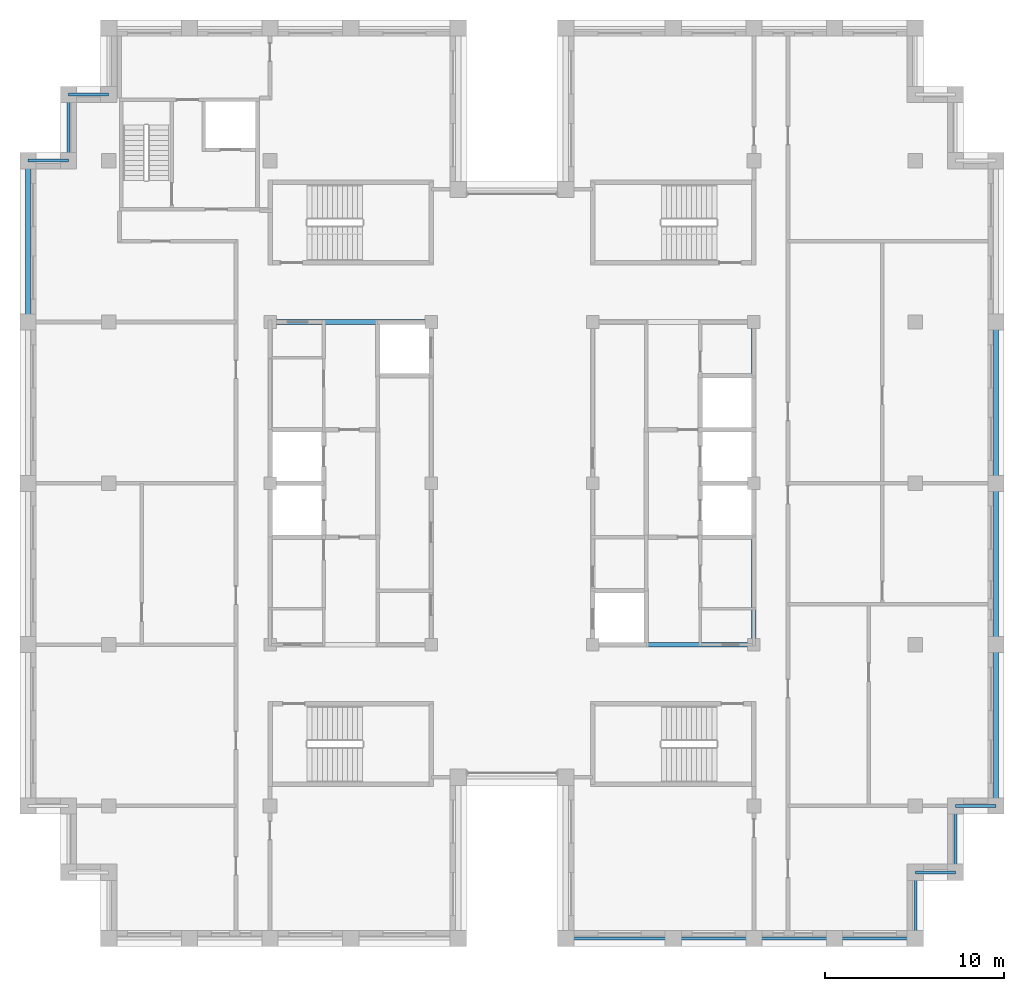
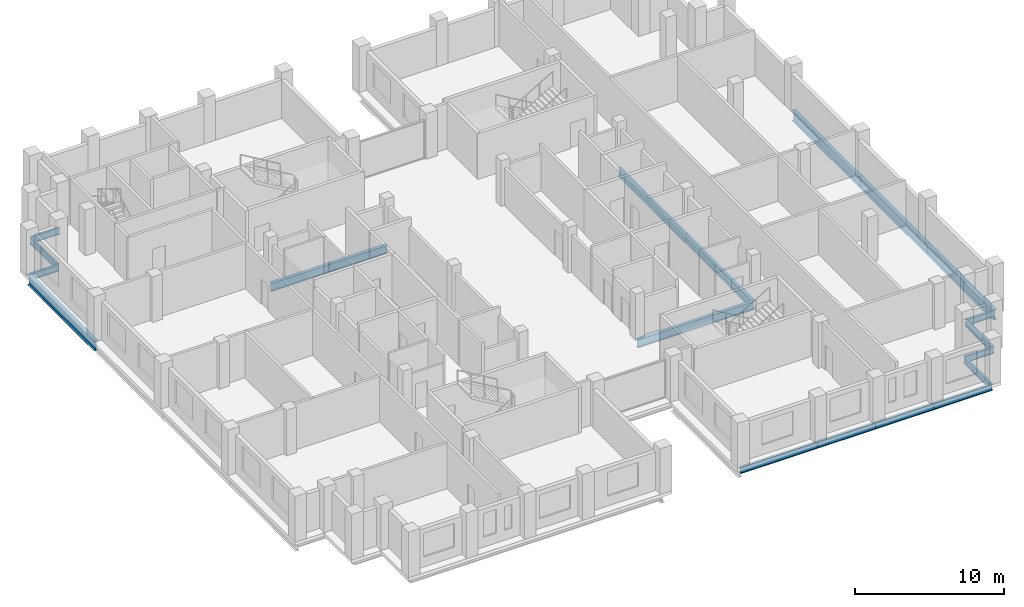
# One storey, part 3 of 13: 19 beams.
"""IFC4 building model written with IfcOpenShell, lengths in metres."""

import ifcopenshell
import ifcopenshell.guid

model = None  # the IFC model being written
_history = None  # IfcOwnerHistory: only IFC2X3 demands one
_inside = {}  # id of a spatial element -> (the spatial element, [elements in it])
_under = {}  # id of a project, library or spatial element -> (it, [spatial elements below it])
_declared = {}  # id of a project -> (the project, [libraries it declares])
_typed = {}  # id of a type object -> (the type object, [elements of that type])
_made_of = {}  # id of a material, layer set ... -> (it, [elements and type objects made of it])


def new_model(schema):
    """Start an empty IFC model of exactly this schema.

    Asked for "IFC4X3", IfcOpenShell would pick the latest addendum, in which some entities
    have other attributes; the version numbers below select the first issue.
    IFC2X3 requires an IfcOwnerHistory on every rooted entity: one is made here for all.
    """
    global model, _history
    if schema == "IFC4X3":
        model = ifcopenshell.file(schema_version=(4, 3, 0, 0))
    else:
        model = ifcopenshell.file(schema=schema)
    _inside.clear()
    _under.clear()
    _declared.clear()
    _typed.clear()
    _made_of.clear()
    _history = None
    if model.schema == "IFC2X3":
        org = make("IfcOrganization", Name="unknown")
        user = make(
            "IfcPersonAndOrganization",
            ThePerson=make("IfcPerson", FamilyName="unknown"),
            TheOrganization=org,
        )
        app = make(
            "IfcApplication",
            ApplicationDeveloper=org,
            Version="unknown",
            ApplicationFullName="unknown",
            ApplicationIdentifier="unknown",
        )
        _history = make(
            "IfcOwnerHistory",
            OwningUser=user,
            OwningApplication=app,
            ChangeAction="ADDED",
            CreationDate=0,
        )
    return model


def make(cls, **values):
    """One entity of the class cls with the attributes given. An attribute that is None is left unset."""
    return model.create_entity(
        cls, **{name: value for name, value in values.items() if value is not None}
    )


def rooted(cls, **values):
    """An entity with a GlobalId (a new one), such as an element, a storey or a relation."""
    return make(cls, GlobalId=ifcopenshell.guid.new(), OwnerHistory=_history, **values)


def si_unit(unit_type, name, prefix=None):
    """IfcSIUnit, for example si_unit("LENGTHUNIT", "METRE", prefix="MILLI")."""
    return make("IfcSIUnit", UnitType=unit_type, Prefix=prefix, Name=name)


def assignment(units):
    """IfcUnitAssignment: the units of a project."""
    return None if units is None else make("IfcUnitAssignment", Units=units)


def point(xyz):
    """IfcCartesianPoint."""
    return None if xyz is None else make("IfcCartesianPoint", Coordinates=xyz)


def direction(xyz):
    """IfcDirection."""
    return None if xyz is None else make("IfcDirection", DirectionRatios=xyz)


def frame(location, z_axis=None, x_axis=None):
    """IfcAxis2Placement3D, a coordinate frame: its origin and axes. An axis left out is left unset."""
    return make(
        "IfcAxis2Placement3D",
        Location=point(location),
        Axis=direction(z_axis),
        RefDirection=direction(x_axis),
    )


def frame_2d(location, x_axis=None):
    """IfcAxis2Placement2D, a coordinate frame in the plane: its origin and x axis."""
    return make(
        "IfcAxis2Placement2D", Location=point(location), RefDirection=direction(x_axis)
    )


def origin():
    """The frame at (0, 0, 0) with its axes left unset."""
    return frame((0.0, 0.0, 0.0))


def origin_2d():
    """The frame at (0, 0) in the plane with its x axis left unset."""
    return frame_2d((0.0, 0.0))


def place(relative_to, where):
    """IfcLocalPlacement: puts the frame where relative to a parent placement (None: the world)."""
    return make(
        "IfcLocalPlacement", PlacementRelTo=relative_to, RelativePlacement=where
    )


def context(
    kind, dimensions, precision=None, world=None, true_north=None, identifier=None
):
    """IfcGeometricRepresentationContext, for example the 3D "Model" context."""
    return make(
        "IfcGeometricRepresentationContext",
        ContextIdentifier=identifier,
        ContextType=kind,
        CoordinateSpaceDimension=dimensions,
        Precision=precision,
        WorldCoordinateSystem=world,
        TrueNorth=true_north,
    )


def subcontext(parent, identifier, kind, view, scale=None):
    """IfcGeometricRepresentationSubContext, for example "Body" below "Model"."""
    return make(
        "IfcGeometricRepresentationSubContext",
        ContextIdentifier=identifier,
        ContextType=kind,
        ParentContext=parent,
        TargetScale=scale,
        TargetView=view,
    )


def project(units=None, contexts=None):
    """IfcProject with its units and contexts."""
    return rooted(
        "IfcProject",
        Name="project",
        RepresentationContexts=contexts,
        UnitsInContext=assignment(units),
    )


def spatial(cls, under=None, at=None, **own):
    """A site, building, storey or space (cls), placed at a placement, below another one or the project."""
    s = rooted(cls, ObjectPlacement=at, **own)
    if under is not None:
        _under.setdefault(under.id(), (under, []))[1].append(s)
    return s


def profile(cls, at=None, kind="AREA", **sizes):
    """A parametric profile (cls). Its sizes go by their IFC names, for example OverallWidth=200.0."""
    return make(cls, ProfileType=kind, Position=at, **sizes)


def i_section(**sizes):
    """IfcIShapeProfileDef."""
    return profile("IfcIShapeProfileDef", **sizes)


def extrude(swept, where, along, depth):
    """IfcExtrudedAreaSolid: the profile swept, set in the frame where, extruded along a direction by depth."""
    return make(
        "IfcExtrudedAreaSolid",
        SweptArea=swept,
        Position=where,
        ExtrudedDirection=direction(along),
        Depth=depth,
    )


def shape(context_of_items, identifier, shape_type, items):
    """IfcShapeRepresentation: the items that make up one representation, for example the "Body"."""
    return make(
        "IfcShapeRepresentation",
        ContextOfItems=context_of_items,
        RepresentationIdentifier=identifier,
        RepresentationType=shape_type,
        Items=items,
    )


def material(Name=None, Category=None):
    """IfcMaterial."""
    return make("IfcMaterial", Name=Name, Category=Category)


def material_profile(
    of_material, cross_section, Name=None, Category=None, Priority=None
):
    """IfcMaterialProfile: a cross section and its material."""
    return make(
        "IfcMaterialProfile",
        Name=Name,
        Material=of_material,
        Profile=cross_section,
        Priority=Priority,
        Category=Category,
    )


def profile_set(profiles, Name=None, composite=None):
    """IfcMaterialProfileSet."""
    return make(
        "IfcMaterialProfileSet",
        Name=Name,
        MaterialProfiles=profiles,
        CompositeProfile=composite,
    )


def made_of(thing, what):
    """Note that an element or type object is made of a material, layer set ...; save() writes the relation."""
    if what is not None:
        _made_of.setdefault(what.id(), (what, []))[1].append(thing)
    return thing


def type_object(cls, material=None, **own):
    """A type object (cls), such as IfcWallType, which elements share."""
    return made_of(rooted(cls, **own), material)


def element(
    cls,
    number,
    at=None,
    inside=None,
    cuts=None,
    type_object=None,
    material=None,
    context=None,
    identifier="Body",
    shape_type=None,
    held_by="IfcProductDefinitionShape",
    body=None,
    shapes=None,
    **own,
):
    """One element of the class cls, such as IfcWall. Its Tag is "e" and its number.

    at: its placement. inside: the storey or other place that contains it. cuts: it is an
    opening in that element (IfcRelVoidsElement). A single representation is given by context,
    identifier, shape_type and body (its items); several are given by shapes. held_by: the class
    of the entity that holds the representations. save() writes the other relations.
    """
    e = rooted(cls, Tag="e%d" % number, ObjectPlacement=at, **own)
    if body is not None:
        shapes = [shape(context, identifier, shape_type, body)]
    if shapes is not None:
        e.Representation = make(held_by, Representations=shapes)
    if inside is not None:
        _inside.setdefault(inside.id(), (inside, []))[1].append(e)
    if cuts is not None:
        rooted(
            "IfcRelVoidsElement", RelatingBuildingElement=cuts, RelatedOpeningElement=e
        )
    if type_object is not None:
        _typed.setdefault(type_object.id(), (type_object, []))[1].append(e)
    return made_of(e, material)


def aggregate(whole, parts):
    """IfcRelAggregates: a whole, such as a stair, and the parts it consists of."""
    return rooted("IfcRelAggregates", RelatingObject=whole, RelatedObjects=parts)


def save(model, path):
    """Write the relations noted so far, then the file.

    IfcRelAggregates (storeys below a building ...), IfcRelContainedInSpatialStructure (elements
    in a storey), IfcRelDefinesByType, IfcRelAssociatesMaterial and IfcRelDeclares: one each for
    every whole, place, type object, material and project.
    """
    for whole, parts in _under.values():
        aggregate(whole, parts)
    for where, things in _inside.values():
        rooted(
            "IfcRelContainedInSpatialStructure",
            RelatedElements=things,
            RelatingStructure=where,
        )
    for kind, things in _typed.values():
        rooted("IfcRelDefinesByType", RelatedObjects=things, RelatingType=kind)
    for what, things in _made_of.values():
        rooted("IfcRelAssociatesMaterial", RelatedObjects=things, RelatingMaterial=what)
    for by, libraries in _declared.values():
        rooted("IfcRelDeclares", RelatingContext=by, RelatedDefinitions=libraries)
    model.write(path)


model = new_model("IFC4")

# Units and contexts
model_context = context("Model", 3, precision=1e-05, world=origin(), true_north=direction((0.0, 1.0)))
body_context = subcontext(model_context, "Body", "Model", "MODEL_VIEW")
ifc_project = project(units=[si_unit("LENGTHUNIT", "METRE"), si_unit("AREAUNIT", "SQUARE_METRE"), si_unit("VOLUMEUNIT", "CUBIC_METRE"), si_unit("PLANEANGLEUNIT", "RADIAN"), si_unit("MASSUNIT", "GRAM", prefix="KILO")], contexts=[model_context])

# Site, building, storey
site_placement = place(None, origin())
site = spatial("IfcSite", under=ifc_project, at=site_placement, CompositionType="ELEMENT")
building_placement = place(site_placement, origin())
building = spatial("IfcBuilding", under=site, at=building_placement, Name="Corbelhall Arena Tower", CompositionType="ELEMENT")
storey_placement = place(building_placement, frame((0.0, 0.0, 330.0)))
storey = spatial("IfcBuildingStorey", under=building, at=storey_placement, Name="L72", CompositionType="ELEMENT", Elevation=330.0)

# Beams
ifc_material = material(Name="Steel ASTM A992 Gr50", Category="steel")
ifc_material_profile_1 = material_profile(ifc_material, i_section(OverallWidth=0.25390625, OverallDepth=0.67822265625, WebThickness=0.01171875, FlangeThickness=0.016357421875, at=origin_2d()))
ifc_profile_set_1 = profile_set([ifc_material_profile_1], Name="Steel ASTM A992 Gr50")
beam_type_1 = type_object("IfcBeamType", Name="ST-BEAM-W27x84", PredefinedType="BEAM", material=ifc_profile_set_1)
for number, where, z_axis, x_axis, name in (
    (1, (-13.5, 9.0, -0.59912109375), (1.0, 0.0, 0.0), (0.0, 1.0, 0.0), "Beam CEW 6"),
    (2, (13.5, -9.0, -0.59912109375), (0.0, 1.0, 0.0), (-1.0, 0.0, 0.0), "Beam CEE 9"),
    (3, (13.5, 0.0, -0.59912109375), (0.0, 1.0, 0.0), (-1.0, 0.0, 0.0), "Beam CEE 10"),
    (4, (4.5, -9.0, -0.59912109375), (1.0, 0.0, 0.0), (0.0, 1.0, 0.0), "Beam CEE 11"),
):
    element("IfcBeam", number, at=place(storey_placement, frame(where, z_axis=z_axis, x_axis=x_axis)), inside=storey, type_object=beam_type_1, Name=name, PredefinedType="BEAM", context=body_context, shape_type="SweptSolid", body=[
        extrude(i_section(OverallWidth=0.25390625, OverallDepth=0.67822265625, WebThickness=0.01171875, FlangeThickness=0.016357421875, at=origin_2d()), origin(), (0.0, 0.0, 1.0), 9.0),
    ])
ifc_material_profile_2 = material_profile(ifc_material, i_section(OverallWidth=0.16650390625, OverallDepth=0.535888671875, WebThickness=0.01025390625, FlangeThickness=0.0166015625, at=origin_2d()))
ifc_profile_set_2 = profile_set([ifc_material_profile_2], Name="Steel ASTM A992 Gr50")
beam_type_2 = type_object("IfcBeamType", Name="ST-SPANDREL-W21x57", PredefinedType="SPANDREL", material=ifc_profile_set_2)
beam_1_placement = place(storey_placement, frame((27.0, -18.0, -0.528076171875), z_axis=(-1.0, 0.0, 0.0), x_axis=(0.0, -1.0, 0.0)))
element("IfcBeam", 5, at=beam_1_placement, inside=storey, type_object=beam_type_2, Name="Beam SP 5", PredefinedType="SPANDREL", context=body_context, shape_type="SweptSolid", body=[
    extrude(i_section(OverallWidth=0.16650390625, OverallDepth=0.535888671875, WebThickness=0.01025390625, FlangeThickness=0.0166015625, at=origin_2d()), origin(), (0.0, 0.0, 1.0), 2.25),
])
beam_2_placement = place(storey_placement, frame((9.0, -25.39990234375, -0.528076171875), z_axis=(-1.0, 0.0, 0.0), x_axis=(0.0, -1.0, 0.0)))
element("IfcBeam", 6, at=beam_2_placement, inside=storey, type_object=beam_type_2, Name="Beam SP 17", PredefinedType="SPANDREL", context=body_context, shape_type="SweptSolid", body=[
    extrude(i_section(OverallWidth=0.16650390625, OverallDepth=0.535888671875, WebThickness=0.01025390625, FlangeThickness=0.0166015625, at=origin_2d()), origin(), (0.0, 0.0, 1.0), 6.0),
])
for number, where, z_axis, x_axis, name in (
    (7, (13.5, -25.39990234375, -0.528076171875), (-1.0, 0.0, 0.0), (0.0, -1.0, 0.0), "Beam SP 18"),
    (8, (18.0, -25.39990234375, -0.528076171875), (-1.0, 0.0, 0.0), (0.0, -1.0, 0.0), "Beam SP 19"),
    (9, (22.5, -25.39990234375, -0.528076171875), (-1.0, 0.0, 0.0), (0.0, -1.0, 0.0), "Beam SP 20"),
):
    element("IfcBeam", number, at=place(storey_placement, frame(where, z_axis=z_axis, x_axis=x_axis)), inside=storey, type_object=beam_type_2, Name=name, PredefinedType="SPANDREL", context=body_context, shape_type="SweptSolid", body=[
        extrude(i_section(OverallWidth=0.16650390625, OverallDepth=0.535888671875, WebThickness=0.01025390625, FlangeThickness=0.0166015625, at=origin_2d()), origin(), (0.0, 0.0, 1.0), 4.5),
    ])
for number, where, z_axis, x_axis, name in (
    (10, (-27.0, 18.0, -0.528076171875), (1.0, 0.0, 0.0), (0.0, 1.0, 0.0), "Beam SP 28"),
    (11, (-24.75, 21.699951171875, -0.528076171875), (1.0, 0.0, 0.0), (0.0, 1.0, 0.0), "Beam SP 39"),
):
    element("IfcBeam", number, at=place(storey_placement, frame(where, z_axis=z_axis, x_axis=x_axis)), inside=storey, type_object=beam_type_2, Name=name, PredefinedType="SPANDREL", context=body_context, shape_type="SweptSolid", body=[
        extrude(i_section(OverallWidth=0.16650390625, OverallDepth=0.535888671875, WebThickness=0.01025390625, FlangeThickness=0.0166015625, at=origin_2d()), origin(), (0.0, 0.0, 1.0), 2.25),
    ])
for number, where, z_axis, x_axis, name in (
    (12, (-24.75, 18.0, -0.528076171875), (0.0, 1.0, 0.0), (-1.0, 0.0, 0.0), "Beam SP 40"),
    (13, (22.5, -21.699951171875, -0.528076171875), (0.0, -1.0, 0.0), (1.0, 0.0, 0.0), "Beam SP 41"),
):
    element("IfcBeam", number, at=place(storey_placement, frame(where, z_axis=z_axis, x_axis=x_axis)), inside=storey, type_object=beam_type_2, Name=name, PredefinedType="SPANDREL", context=body_context, shape_type="SweptSolid", body=[
        extrude(i_section(OverallWidth=0.16650390625, OverallDepth=0.535888671875, WebThickness=0.01025390625, FlangeThickness=0.0166015625, at=origin_2d()), origin(), (0.0, 0.0, 1.0), 3.699951171875),
    ])
beam_3_placement = place(storey_placement, frame((24.75, -21.699951171875, -0.528076171875), z_axis=(-1.0, 0.0, 0.0), x_axis=(0.0, -1.0, 0.0)))
element("IfcBeam", 14, at=beam_3_placement, inside=storey, type_object=beam_type_2, Name="Beam SP 42", PredefinedType="SPANDREL", context=body_context, shape_type="SweptSolid", body=[
    extrude(i_section(OverallWidth=0.16650390625, OverallDepth=0.535888671875, WebThickness=0.01025390625, FlangeThickness=0.0166015625, at=origin_2d()), origin(), (0.0, 0.0, 1.0), 2.25),
])
beam_4_placement = place(storey_placement, frame((24.75, -18.0, -0.528076171875), z_axis=(0.0, -1.0, 0.0), x_axis=(1.0, 0.0, 0.0)))
element("IfcBeam", 15, at=beam_4_placement, inside=storey, type_object=beam_type_2, Name="Beam SP 43", PredefinedType="SPANDREL", context=body_context, shape_type="SweptSolid", body=[
    extrude(i_section(OverallWidth=0.16650390625, OverallDepth=0.535888671875, WebThickness=0.01025390625, FlangeThickness=0.0166015625, at=origin_2d()), origin(), (0.0, 0.0, 1.0), 3.699951171875),
])
ifc_material_profile_3 = material_profile(ifc_material, i_section(OverallWidth=0.2919921875, OverallDepth=0.845703125, WebThickness=0.015380859375, FlangeThickness=0.0244140625, at=origin_2d()))
ifc_profile_set_3 = profile_set([ifc_material_profile_3], Name="Steel ASTM A992 Gr50")
beam_type_3 = type_object("IfcBeamType", Name="ST-SPANDREL-W33x141", PredefinedType="SPANDREL", material=ifc_profile_set_3)
for number, where, z_axis, x_axis, name in (
    (16, (27.0, 0.0, -0.682861328125), (0.0, -1.0, 0.0), (1.0, 0.0, 0.0), "Beam SP 1"),
    (17, (27.0, 9.0, -0.682861328125), (0.0, -1.0, 0.0), (1.0, 0.0, 0.0), "Beam SP 2"),
    (18, (27.0, -9.0, -0.682861328125), (0.0, -1.0, 0.0), (1.0, 0.0, 0.0), "Beam SP 4"),
    (19, (-27.0, 9.0, -0.682861328125), (0.0, 1.0, 0.0), (-1.0, 0.0, 0.0), "Beam SP 27"),
):
    element("IfcBeam", number, at=place(storey_placement, frame(where, z_axis=z_axis, x_axis=x_axis)), inside=storey, type_object=beam_type_3, Name=name, PredefinedType="SPANDREL", context=body_context, shape_type="SweptSolid", body=[
        extrude(i_section(OverallWidth=0.2919921875, OverallDepth=0.845703125, WebThickness=0.015380859375, FlangeThickness=0.0244140625, at=origin_2d()), origin(), (0.0, 0.0, 1.0), 9.0),
    ])

save(model, "model.ifc")
